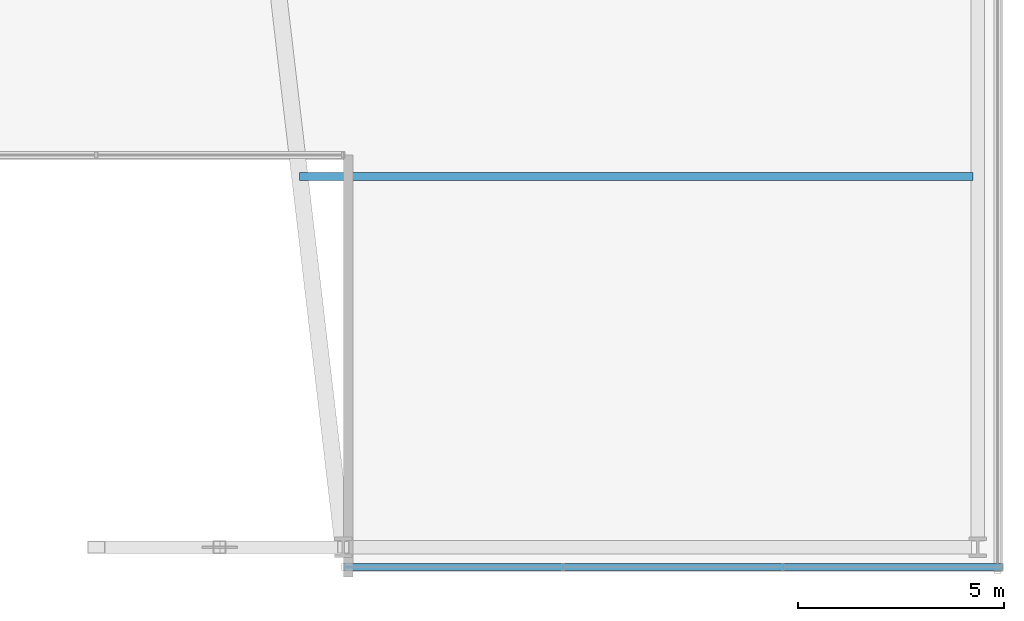
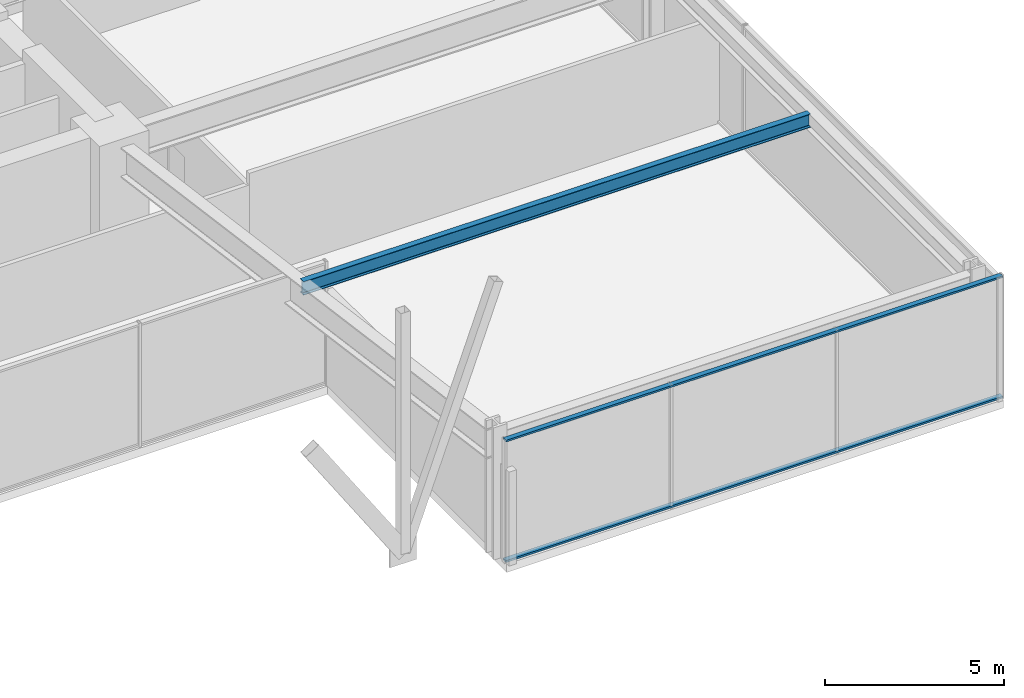
# One storey, part 19 of 47: 2 members, 1 beam, 1 element without a shape of its own.
"""IFC4 building model written with IfcOpenShell, lengths in metres."""

from ifc_helpers import new_model, si_unit, direction, frame, origin, origin_2d, place, context, subcontext, project, spatial, hollow_rectangle, i_section, extrude, material, material_profile, profile_set, type_object, element, aggregate, save


model = new_model("IFC4")

# Units and contexts
model_context = context("Model", 3, precision=1e-05, world=origin(), true_north=direction((0.0, 1.0)))
body_context = subcontext(model_context, "Body", "Model", "MODEL_VIEW")
ifc_project = project(units=[si_unit("LENGTHUNIT", "METRE"), si_unit("AREAUNIT", "SQUARE_METRE"), si_unit("VOLUMEUNIT", "CUBIC_METRE"), si_unit("PLANEANGLEUNIT", "RADIAN"), si_unit("MASSUNIT", "GRAM", prefix="KILO")], contexts=[model_context])

# Site, building, storey
site_placement = place(None, origin())
site = spatial("IfcSite", under=ifc_project, at=site_placement, CompositionType="ELEMENT")
building_placement = place(site_placement, origin())
building = spatial("IfcBuilding", under=site, at=building_placement, Name="Kolvaren Belvedere", CompositionType="ELEMENT")
storey_placement = place(building_placement, frame((0.0, 0.0, 5.5)))
storey = spatial("IfcBuildingStorey", under=building, at=storey_placement, Name="L02", CompositionType="ELEMENT", Elevation=5.5)

# Beam
ifc_material_1 = material(Name="Structural steel ASTM A992 Grade 50", Category="steel")
ifc_material_profile_1 = material_profile(ifc_material_1, i_section(OverallWidth=0.19091796875, OverallDepth=0.4599609375, WebThickness=0.010009765625, FlangeThickness=0.01611328125, FilletRadius=0.014892578125, at=origin_2d()), Name="W18X55")
ifc_profile_set_1 = profile_set([ifc_material_profile_1], Name="Structural steel ASTM A992 Grade 50")
beam_type = type_object("IfcBeamType", Name="BM-JOIST-W18X55", PredefinedType="BEAM", material=ifc_profile_set_1)
beam_placement = place(storey_placement, frame((10.93994140625, -18.800048828125, 3.989990234375), z_axis=(1.0, 0.0, 0.0), x_axis=(0.0, 1.0, 0.0)))
element("IfcBeam", 1, at=beam_placement, inside=storey, type_object=beam_type, Name="L02 East Bay Floor Beam", PredefinedType="BEAM", context=body_context, shape_type="SweptSolid", body=[
    extrude(i_section(OverallWidth=0.19091796875, OverallDepth=0.4599609375, WebThickness=0.010009765625, FlangeThickness=0.01611328125, FilletRadius=0.014892578125, at=origin_2d()), origin(), (0.0, 0.0, 1.0), 16.340087890625),
])

# Curtain wall, members
ifc_material_2 = material(Name="Anodised pale-metal aluminium AA 6063-T6", Category="aluminium")
curtain_wall_type = type_object("IfcCurtainWallType", Name="CW-POD-A", PredefinedType="NOTDEFINED", material=ifc_material_2)
curtain_wall_placement = place(storey_placement, origin())
curtain_wall = element("IfcCurtainWall", 2, at=curtain_wall_placement, inside=storey, type_object=curtain_wall_type, Name="L02 Unitised Curtain Wall FCW-L02-SEG5", PredefinedType="NOTDEFINED")
ifc_material_3 = material(Name="Anodised pale-metal aluminium AA 6063-T6", Category="aluminium")
ifc_material_profile_2 = material_profile(ifc_material_3, hollow_rectangle(XDim=0.06494140625, YDim=0.159912109375, WallThickness=0.00390625, at=origin_2d()), Name="ALU-TRN-160X65")
ifc_profile_set_2 = profile_set([ifc_material_profile_2], Name="Anodised pale-metal aluminium AA 6063-T6")
member_type = type_object("IfcMemberType", Name="CW-TRN-160", PredefinedType="USERDEFINED", material=ifc_profile_set_2)
member_1_placement = place(storey_placement, frame((28.0, -28.280029296875, 0.06005859375), z_axis=(-1.0, 0.0, 0.0), x_axis=(0.0, 0.0, 1.0)))
member_1 = element("IfcMember", 3, at=member_1_placement, type_object=member_type, Name="FCW-L02-SEG5 Sill Transom", ObjectType="TRANSOM", PredefinedType="USERDEFINED", context=body_context, shape_type="SweptSolid", body=[
    extrude(hollow_rectangle(XDim=0.06494140625, YDim=0.159912109375, WallThickness=0.00390625, at=origin_2d()), origin(), (0.0, 0.0, 1.0), 16.0),
])
member_2_placement = place(storey_placement, frame((28.0, -28.280029296875, 4.159912109375), z_axis=(-1.0, 0.0, 0.0), x_axis=(0.0, 0.0, 1.0)))
member_2 = element("IfcMember", 4, at=member_2_placement, type_object=member_type, Name="FCW-L02-SEG5 Head Transom", ObjectType="TRANSOM", PredefinedType="USERDEFINED", context=body_context, shape_type="SweptSolid", body=[
    extrude(hollow_rectangle(XDim=0.06494140625, YDim=0.159912109375, WallThickness=0.00390625, at=origin_2d()), origin(), (0.0, 0.0, 1.0), 16.0),
])
aggregate(curtain_wall, [member_1, member_2])

save(model, "model.ifc")
